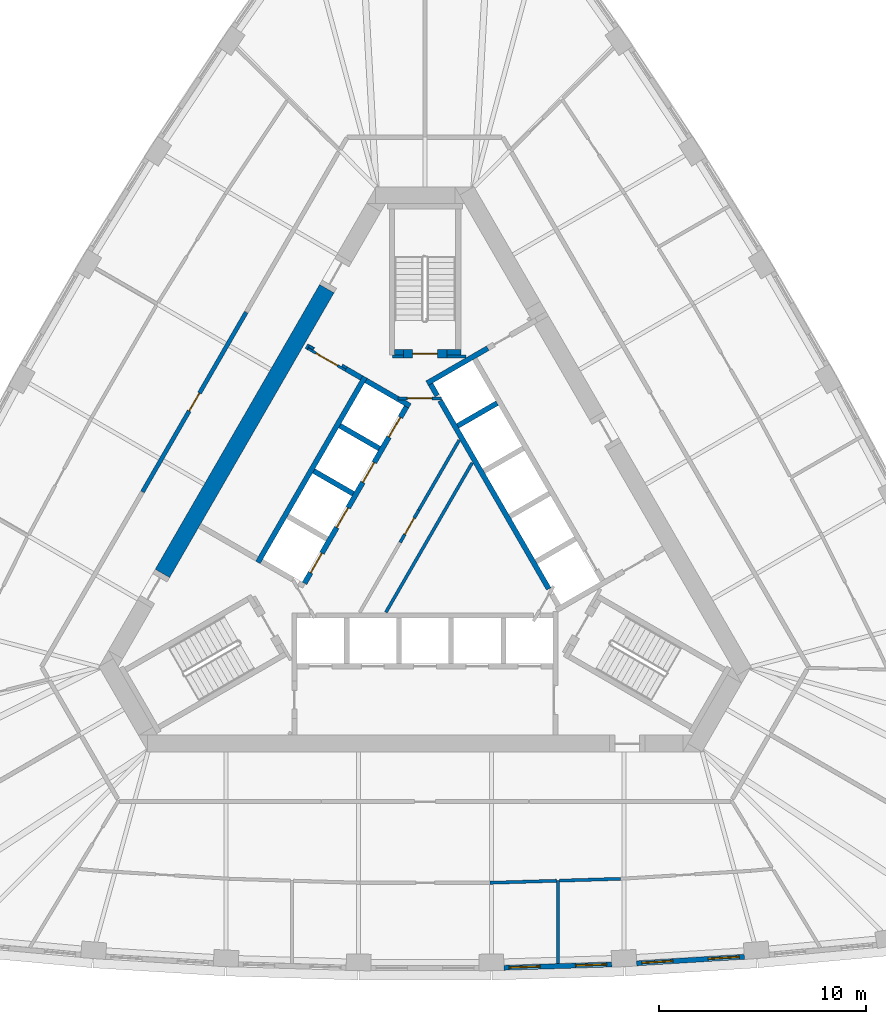
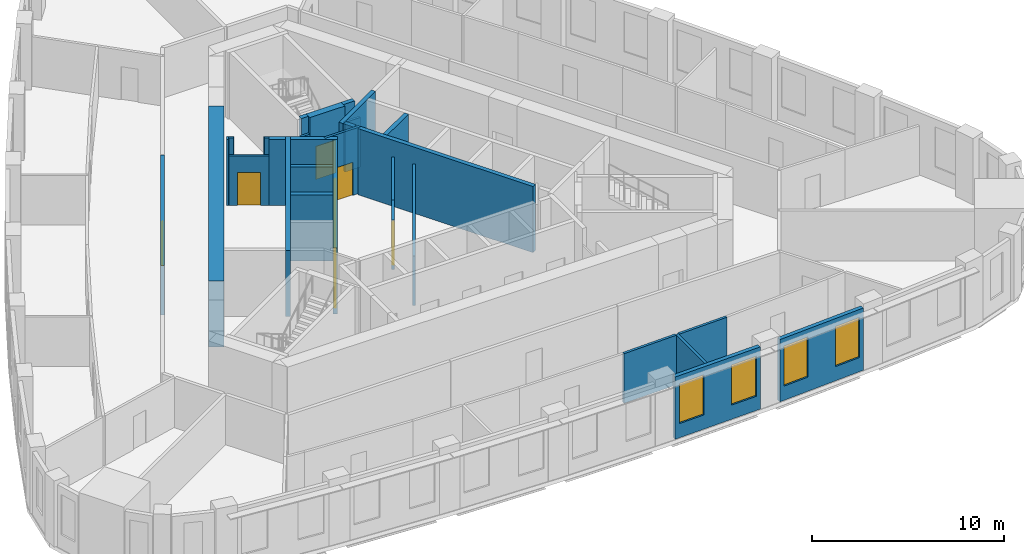
# One storey, part 5 of 10: 30 walls, 9 doors, 4 windows, 13 openings.
"""IFC4 building model written with IfcOpenShell, lengths in metres."""

from ifc_helpers import new_model, si_unit, direction, frame, frame_2d, origin, place, context, subcontext, project, spatial, polyline, rectangle, outline, extrude, material, layer, layer_set, type_object, element, fill, save


model = new_model("IFC4")

# Units and contexts
model_context = context("Model", 3, precision=1e-05, world=origin(), true_north=direction((0.0, 1.0)))
body_context = subcontext(model_context, "Body", "Model", "MODEL_VIEW")
ifc_project = project(units=[si_unit("LENGTHUNIT", "METRE"), si_unit("AREAUNIT", "SQUARE_METRE"), si_unit("VOLUMEUNIT", "CUBIC_METRE"), si_unit("PLANEANGLEUNIT", "RADIAN"), si_unit("MASSUNIT", "GRAM", prefix="KILO")], contexts=[model_context])

# Site, building, storey
site_placement = place(None, origin())
site = spatial("IfcSite", under=ifc_project, at=site_placement, CompositionType="ELEMENT")
building_placement = place(site_placement, origin())
building = spatial("IfcBuilding", under=site, at=building_placement, Name="Mestral Congress Tower", CompositionType="ELEMENT")
storey_placement = place(building_placement, frame((0.0, 0.0, 145.800048828125)))
storey = spatial("IfcBuildingStorey", under=building, at=storey_placement, Name="L34", CompositionType="ELEMENT", Elevation=145.800048828125)

# Walls
ifc_material_1 = material(Name="Fire-rated board partition")
ifc_layer_1 = layer(ifc_material_1, 0.14990234375)
ifc_layer_set_1 = layer_set([ifc_layer_1], Name="Fire-rated board partition")
wall_type_1 = type_object("IfcWallType", Name="Core partition 150", PredefinedType="PARTITIONING", material=ifc_layer_set_1)
wall_1_placement = place(storey_placement, frame((1.050048828125, 8.62548828125, 0.0), z_axis=(0.0, 0.0, 1.0), x_axis=(1.0, 0.0, 0.0)))
element("IfcWall", 1, at=wall_1_placement, inside=storey, type_object=wall_type_1, Name="L34 core wall", PredefinedType="PARTITIONING", context=body_context, shape_type="SweptSolid", body=[
    extrude(rectangle(XDim=0.9287109375, YDim=0.14990234375, at=frame_2d((0.46435546875, 0.0))), origin(), (0.0, 0.0, 1.0), 3.14990234375),
])
wall_2_placement = place(storey_placement, frame((-1.56396484375, 8.62548828125, 0.0), z_axis=(0.0, 0.0, 1.0), x_axis=(1.0, 0.0, 0.0)))
element("IfcWall", 2, at=wall_2_placement, inside=storey, type_object=wall_type_1, Name="L34 core wall", PredefinedType="PARTITIONING", context=body_context, shape_type="SweptSolid", body=[
    extrude(rectangle(XDim=0.513916015625, YDim=0.14990234375, at=frame_2d((0.2568359375, 0.0))), origin(), (0.0, 0.0, 1.0), 3.14990234375),
])
wall_3_placement = place(storey_placement, frame((-1.886962890625, -3.71826171875, 0.0), z_axis=(0.0, 0.0, 1.0), x_axis=(0.500005008002, 0.866022512394, 0.0)))
element("IfcWall", 3, at=wall_3_placement, inside=storey, type_object=wall_type_1, Name="L34 core wall", PredefinedType="PARTITIONING", context=body_context, shape_type="SweptSolid", body=[
    extrude(rectangle(XDim=8.3271484375, YDim=0.14990234375, at=frame_2d((4.16357421875, 0.0))), origin(), (0.0, 0.0, 1.0), 3.14990234375),
])
wall_4_placement = place(storey_placement, frame((-0.2998046875, 1.21240234375, 0.0), z_axis=(0.0, 0.0, 1.0), x_axis=(0.499963101113, 0.866046706318, 0.0)))
element("IfcWall", 4, at=wall_4_placement, inside=storey, type_object=wall_type_1, Name="L34 core wall", PredefinedType="PARTITIONING", context=body_context, shape_type="SweptSolid", body=[
    extrude(rectangle(XDim=3.893310546875, YDim=0.14990234375, at=frame_2d((1.94677734375, 0.0))), origin(), (0.0, 0.0, 1.0), 3.14990234375),
])

# Wall, opening, door
wall_5_placement = place(storey_placement, frame((-1.199951171875, -0.346435546875, 0.0), z_axis=(0.0, 0.0, 1.0), x_axis=(0.499961193289, 0.866047807691, 0.0)))
wall_5 = element("IfcWall", 5, at=wall_5_placement, inside=storey, type_object=wall_type_1, Name="L34 door wall", PredefinedType="PARTITIONING", context=body_context, shape_type="SweptSolid", body=[
    extrude(rectangle(XDim=1.800048828125, YDim=0.14990234375, at=frame_2d((0.89990234375, 0.0))), origin(), (0.0, 0.0, 1.0), 3.14990234375),
])
opening_1_placement = place(wall_5_placement, frame((0.449951171875, 0.0, 0.0)))
opening_1 = element("IfcOpeningElement", 6, at=opening_1_placement, cuts=wall_5, Name="Opening SD-HUB1", PredefinedType="OPENING", context=body_context, shape_type="SweptSolid", body=[
    extrude(rectangle(XDim=0.89990234375, YDim=2.10009765625, at=frame_2d((0.449951171875, 1.050048828125))), frame((0.0, 0.0849609375, 0.0), z_axis=(0.0, -1.0, 0.0), x_axis=(1.0, 0.0, 0.0)), (0.0, 0.0, 1.0), 0.169921875),
])
ifc_material_2 = material(Name="Fire-rated steel door set", Category="steel")
door_type_1 = type_object("IfcDoorType", Name="Core door SR 900x2100", OperationType="SINGLE_SWING_LEFT", PredefinedType="DOOR", material=ifc_material_2)
door_1_placement = place(opening_1_placement, origin())
door_1 = element("IfcDoor", 7, at=door_1_placement, inside=storey, type_object=door_type_1, Name="Door SD-HUB1", OperationType="SINGLE_SWING_LEFT", OverallHeight=2.10009765625, OverallWidth=0.89990234375, PredefinedType="DOOR", context=body_context, shape_type="SweptSolid", body=[
    extrude(rectangle(XDim=0.89990234375, YDim=2.10009765625, at=frame_2d((0.449951171875, 1.050048828125))), frame((0.0, 0.02490234375, 0.0), z_axis=(0.0, -1.0, 0.0), x_axis=(1.0, 0.0, 0.0)), (0.0, 0.0, 1.0), 0.050048828125),
])
fill(opening_1, door_1)

ifc_layer_2 = layer(ifc_material_1, 0.1201171875)
ifc_layer_set_2 = layer_set([ifc_layer_2], Name="Fire-rated board partition")
wall_type_2 = type_object("IfcWallType", Name="Core partition 150 door-wall 120", PredefinedType="PARTITIONING", material=ifc_layer_set_2)
wall_6_placement = place(storey_placement, frame((-5.65869140625, 9.01171875, 0.0), z_axis=(0.0, 0.0, 1.0), x_axis=(0.866009402589, -0.500027713859, 0.0)))
wall_6 = element("IfcWall", 8, at=wall_6_placement, inside=storey, type_object=wall_type_2, Name="L34 door wall", PredefinedType="PARTITIONING", context=body_context, shape_type="SweptSolid", body=[
    extrude(rectangle(XDim=2.10009765625, YDim=0.1201171875, at=frame_2d((1.050048828125, 0.0))), origin(), (0.0, 0.0, 1.0), 3.14990234375),
])
opening_2_placement = place(wall_6_placement, frame((0.449951171875, 0.0, 0.0)))
opening_2 = element("IfcOpeningElement", 9, at=opening_2_placement, cuts=wall_6, Name="Opening LB2-WL2", PredefinedType="OPENING", context=body_context, shape_type="SweptSolid", body=[
    extrude(rectangle(XDim=1.199951171875, YDim=2.10009765625, at=frame_2d((0.60009765625, 1.050048828125))), frame((0.0, 0.070068359375, 0.0), z_axis=(0.0, -1.0, 0.0), x_axis=(1.0, 0.0, 0.0)), (0.0, 0.0, 1.0), 0.14013671875),
])
door_type_2 = type_object("IfcDoorType", Name="Core door LB 1200x2100", OperationType="SINGLE_SWING_LEFT", PredefinedType="DOOR", material=ifc_material_2)
door_2_placement = place(opening_2_placement, origin())
door_2 = element("IfcDoor", 10, at=door_2_placement, inside=storey, type_object=door_type_2, Name="Door LB2-WL2", OperationType="SINGLE_SWING_LEFT", OverallHeight=2.10009765625, OverallWidth=1.199951171875, PredefinedType="DOOR", context=body_context, shape_type="SweptSolid", body=[
    extrude(rectangle(XDim=1.199951171875, YDim=2.10009765625, at=frame_2d((0.60009765625, 1.050048828125))), frame((0.0, 0.02490234375, 0.0), z_axis=(0.0, -1.0, 0.0), x_axis=(1.0, 0.0, 0.0)), (0.0, 0.0, 1.0), 0.050048828125),
])
fill(opening_2, door_2)

# Wall
ifc_material_3 = material(Name="Concrete C60/75", Category="concrete")
ifc_layer_3 = layer(ifc_material_3, 0.800048828125)
ifc_layer_set_3 = layer_set([ifc_layer_3], Name="Concrete C60/75")
wall_type_3 = type_object("IfcWallType", Name="Core wall RC 800", PredefinedType="SOLIDWALL", material=ifc_layer_set_3)
wall_7_placement = place(storey_placement, frame((-12.668212890625, -1.841796875, 0.0), z_axis=(0.0, 0.0, 1.0), x_axis=(0.500003640647, 0.866023301845, 0.0)))
element("IfcWall", 11, at=wall_7_placement, inside=storey, type_object=wall_type_3, Name="L34 core wall", PredefinedType="SOLIDWALL", context=body_context, shape_type="SweptSolid", body=[
    extrude(rectangle(XDim=15.8583984375, YDim=0.800048828125, at=frame_2d((7.92919921875, 0.0))), origin(), (0.0, 0.0, 1.0), 4.199951171875),
])

# Wall, openings, windows
ifc_material_4 = material(Name="Precast concrete C40/50 with limestone facing", Category="masonry")
ifc_layer_4 = layer(ifc_material_4, 0.239990234375)
ifc_layer_set_4 = layer_set([ifc_layer_4], Name="Precast concrete C40/50 with limestone facing")
wall_type_4 = type_object("IfcWallType", Name="Facade stone wall 240", PredefinedType="SOLIDWALL", material=ifc_layer_set_4)
wall_8_placement = place(storey_placement, frame((3.80615234375, -20.869873046875, 0.0), z_axis=(0.0, 0.0, 1.0), x_axis=(0.999533441983, 0.030543384845, 0.0)))
wall_8 = element("IfcWall", 12, at=wall_8_placement, inside=storey, type_object=wall_type_4, Name="Facade wall F0-04", PredefinedType="SOLIDWALL", context=body_context, shape_type="SweptSolid", body=[
    extrude(rectangle(XDim=5.20361328125, YDim=0.239990234375, at=frame_2d((2.601806640625, 0.0))), origin(), (0.0, 0.0, 1.0), 3.949951171875),
])
opening_3_placement = place(wall_8_placement, frame((0.248291015625, 0.0, 0.89990234375)))
opening_3 = element("IfcOpeningElement", 13, at=opening_3_placement, cuts=wall_8, Name="Opening W4", PredefinedType="OPENING", context=body_context, shape_type="SweptSolid", body=[
    extrude(rectangle(XDim=1.5, YDim=2.550048828125, at=frame_2d((0.75, 1.27490234375))), frame((0.0, 0.1298828125, 0.0), z_axis=(0.0, -1.0, 0.0), x_axis=(1.0, 0.0, 0.0)), (0.0, 0.0, 1.0), 0.260009765625),
])
opening_4_placement = place(wall_8_placement, frame((3.455078125, 0.0, 0.89990234375)))
opening_4 = element("IfcOpeningElement", 14, at=opening_4_placement, cuts=wall_8, Name="Opening W4", PredefinedType="OPENING", context=body_context, shape_type="SweptSolid", body=[
    extrude(rectangle(XDim=1.5, YDim=2.550048828125, at=frame_2d((0.75, 1.27490234375))), frame((0.0, 0.1298828125, 0.0), z_axis=(0.0, -1.0, 0.0), x_axis=(1.0, 0.0, 0.0)), (0.0, 0.0, 1.0), 0.260009765625),
])
ifc_material_5 = material(Name="Clear low-emissivity double glazing", Category="glass")
window_type = type_object("IfcWindowType", Name="Facade punched window 1500 x 2550 sill 900", PartitioningType="SINGLE_PANEL", PredefinedType="WINDOW", material=ifc_material_5)
window_1_placement = place(opening_3_placement, origin())
window_1 = element("IfcWindow", 15, at=window_1_placement, inside=storey, type_object=window_type, Name="Window F0-04a", OverallHeight=2.550048828125, OverallWidth=1.5, PartitioningType="SINGLE_PANEL", PredefinedType="WINDOW", context=body_context, shape_type="SweptSolid", body=[
    extrude(rectangle(XDim=1.5, YDim=2.550048828125, at=frame_2d((0.75, 1.27490234375))), frame((0.0, 0.0400390625, 0.0), z_axis=(0.0, -1.0, 0.0), x_axis=(1.0, 0.0, 0.0)), (0.0, 0.0, 1.0), 0.06005859375),
])
fill(opening_3, window_1)
window_2_placement = place(opening_4_placement, origin())
window_2 = element("IfcWindow", 16, at=window_2_placement, inside=storey, type_object=window_type, Name="Window F0-04b", OverallHeight=2.550048828125, OverallWidth=1.5, PartitioningType="SINGLE_PANEL", PredefinedType="WINDOW", context=body_context, shape_type="SweptSolid", body=[
    extrude(rectangle(XDim=1.5, YDim=2.550048828125, at=frame_2d((0.75, 1.27490234375))), frame((0.0, 0.0400390625, 0.0), z_axis=(0.0, -1.0, 0.0), x_axis=(1.0, 0.0, 0.0)), (0.0, 0.0, 1.0), 0.06005859375),
])
fill(opening_4, window_2)

wall_9_placement = place(storey_placement, frame((10.210693359375, -20.656005859375, 0.0), z_axis=(0.0, 0.0, 1.0), x_axis=(0.998135294646, 0.061040425794, 0.0)))
wall_9 = element("IfcWall", 17, at=wall_9_placement, inside=storey, type_object=wall_type_4, Name="Facade wall F0-05", PredefinedType="SOLIDWALL", context=body_context, shape_type="SweptSolid", body=[
    extrude(rectangle(XDim=5.20361328125, YDim=0.239990234375, at=frame_2d((2.601806640625, 0.0))), origin(), (0.0, 0.0, 1.0), 3.949951171875),
])
opening_5_placement = place(wall_9_placement, frame((0.248291015625, 0.0, 0.89990234375)))
opening_5 = element("IfcOpeningElement", 18, at=opening_5_placement, cuts=wall_9, Name="Opening W4", PredefinedType="OPENING", context=body_context, shape_type="SweptSolid", body=[
    extrude(rectangle(XDim=1.5, YDim=2.550048828125, at=frame_2d((0.75, 1.27490234375))), frame((0.0, 0.1298828125, 0.0), z_axis=(0.0, -1.0, 0.0), x_axis=(1.0, 0.0, 0.0)), (0.0, 0.0, 1.0), 0.260009765625),
])
opening_6_placement = place(wall_9_placement, frame((3.455078125, 0.0, 0.89990234375)))
opening_6 = element("IfcOpeningElement", 19, at=opening_6_placement, cuts=wall_9, Name="Opening W4", PredefinedType="OPENING", context=body_context, shape_type="SweptSolid", body=[
    extrude(rectangle(XDim=1.5, YDim=2.550048828125, at=frame_2d((0.75, 1.27490234375))), frame((0.0, 0.1298828125, 0.0), z_axis=(0.0, -1.0, 0.0), x_axis=(1.0, 0.0, 0.0)), (0.0, 0.0, 1.0), 0.260009765625),
])
window_3_placement = place(opening_5_placement, origin())
window_3 = element("IfcWindow", 20, at=window_3_placement, inside=storey, type_object=window_type, Name="Window F0-05a", OverallHeight=2.550048828125, OverallWidth=1.5, PartitioningType="SINGLE_PANEL", PredefinedType="WINDOW", context=body_context, shape_type="SweptSolid", body=[
    extrude(rectangle(XDim=1.5, YDim=2.550048828125, at=frame_2d((0.75, 1.27490234375))), frame((0.0, 0.0400390625, 0.0), z_axis=(0.0, -1.0, 0.0), x_axis=(1.0, 0.0, 0.0)), (0.0, 0.0, 1.0), 0.06005859375),
])
fill(opening_5, window_3)
window_4_placement = place(opening_6_placement, origin())
window_4 = element("IfcWindow", 21, at=window_4_placement, inside=storey, type_object=window_type, Name="Window F0-05b", OverallHeight=2.550048828125, OverallWidth=1.5, PartitioningType="SINGLE_PANEL", PredefinedType="WINDOW", context=body_context, shape_type="SweptSolid", body=[
    extrude(rectangle(XDim=1.5, YDim=2.550048828125, at=frame_2d((0.75, 1.27490234375))), frame((0.0, 0.0400390625, 0.0), z_axis=(0.0, -1.0, 0.0), x_axis=(1.0, 0.0, 0.0)), (0.0, 0.0, 1.0), 0.06005859375),
])
fill(opening_6, window_4)

# Walls
ifc_material_6 = material(Name="Plasterboard partition on steel studs", Category="steel")
ifc_layer_5 = layer(ifc_material_6, 0.14990234375)
ifc_layer_set_5 = layer_set([ifc_layer_5], Name="Plasterboard partition on steel studs")
wall_type_5 = type_object("IfcWallType", Name="Office partition 150", PredefinedType="PARTITIONING", material=ifc_layer_set_5)
wall_10_placement = place(storey_placement, frame((6.412109375, -16.668212890625, 0.0), z_axis=(0.0, 0.0, 1.0), x_axis=(0.0, -1.0, 0.0)))
element("IfcWall", 22, at=wall_10_placement, inside=storey, type_object=wall_type_5, Name="Partition", PredefinedType="PARTITIONING", context=body_context, shape_type="SweptSolid", body=[
    extrude(rectangle(XDim=4.001953125, YDim=0.14990234375, at=frame_2d((2.0009765625, 0.0))), origin(), (0.0, 0.0, 1.0), 3.14990234375),
])
wall_11_placement = place(storey_placement, frame((3.141357421875, -16.768310546875, 0.0), z_axis=(0.0, 0.0, 1.0), x_axis=(0.999533369646, 0.030545751995, 0.0)))
element("IfcWall", 23, at=wall_11_placement, inside=storey, type_object=wall_type_5, Name="Partition", PredefinedType="PARTITIONING", context=body_context, shape_type="SweptSolid", body=[
    extrude(rectangle(XDim=3.197021484375, YDim=0.14990234375, at=frame_2d((1.5986328125, 0.0))), origin(), (0.0, 0.0, 1.0), 3.14990234375),
])
wall_12_placement = place(storey_placement, frame((6.487060546875, -16.666015625, 0.0), z_axis=(0.0, 0.0, 1.0), x_axis=(0.999533978083, 0.030525835896, 0.0)))
element("IfcWall", 24, at=wall_12_placement, inside=storey, type_object=wall_type_5, Name="Partition", PredefinedType="PARTITIONING", context=body_context, shape_type="SweptSolid", body=[
    extrude(rectangle(XDim=2.935302734375, YDim=0.14990234375, at=frame_2d((1.4677734375, 0.0))), origin(), (0.0, 0.0, 1.0), 3.14990234375),
])

# Wall, opening, door
ifc_material_7 = material(Name="Dense masonry wall, plastered", Category="masonry")
ifc_layer_6 = layer(ifc_material_7, 0.199951171875)
ifc_layer_set_6 = layer_set([ifc_layer_6], Name="Dense masonry wall, plastered")
wall_type_6 = type_object("IfcWallType", Name="Office tenancy wall 200", PredefinedType="PARTITIONING", material=ifc_layer_set_6)
wall_13_placement = place(storey_placement, frame((-8.62841796875, 10.755126953125, 0.0), z_axis=(0.0, 0.0, 1.0), x_axis=(-0.500004234368, -0.866022959057, 0.0)))
wall_13 = element("IfcWall", 25, at=wall_13_placement, inside=storey, type_object=wall_type_6, Name="Tenancy wall", PredefinedType="PARTITIONING", context=body_context, shape_type="SweptSolid", body=[
    extrude(rectangle(XDim=10.0, YDim=0.199951171875, at=frame_2d((5.0, 0.0))), origin(), (0.0, 0.0, 1.0), 3.14990234375),
])
opening_7_placement = place(wall_13_placement, frame((4.5, 0.0, 0.0)))
opening_7 = element("IfcOpeningElement", 26, at=opening_7_placement, cuts=wall_13, Name="Opening O01-017", PredefinedType="OPENING", context=body_context, shape_type="SweptSolid", body=[
    extrude(rectangle(XDim=1.0, YDim=2.10009765625, at=frame_2d((0.5, 1.050048828125))), frame((0.0, 0.10986328125, 0.0), z_axis=(0.0, -1.0, 0.0), x_axis=(1.0, 0.0, 0.0)), (0.0, 0.0, 1.0), 0.219970703125),
])
ifc_material_8 = material(Name="Fire-rated timber door set", Category="wood")
door_type_3 = type_object("IfcDoorType", Name="Office tenancy entrance door 1000x2100", OperationType="SINGLE_SWING_LEFT", PredefinedType="DOOR", material=ifc_material_8)
door_3_placement = place(opening_7_placement, origin())
door_3 = element("IfcDoor", 27, at=door_3_placement, inside=storey, type_object=door_type_3, Name="Door O01-017", OperationType="SINGLE_SWING_LEFT", OverallHeight=2.10009765625, OverallWidth=1.0, PredefinedType="DOOR", context=body_context, shape_type="SweptSolid", body=[
    extrude(rectangle(XDim=1.0, YDim=2.10009765625, at=frame_2d((0.5, 1.050048828125))), frame((0.0, 0.02490234375, 0.0), z_axis=(0.0, -1.0, 0.0), x_axis=(1.0, 0.0, 0.0)), (0.0, 0.0, 1.0), 0.050048828125),
])
fill(opening_7, door_3)

# Walls
ifc_layer_7 = layer(ifc_material_3, 0.25)
ifc_layer_set_7 = layer_set([ifc_layer_7], Name="Concrete C60/75")
wall_type_7 = type_object("IfcWallType", Name="Shaft wall RC 250", PredefinedType="SOLIDWALL", material=ifc_layer_set_7)
wall_14_placement = place(storey_placement, frame((3.02783203125, 9.022705078125, 0.0), z_axis=(0.0, 0.0, 1.0), x_axis=(-0.866036587186, -0.49998062928, 0.0)))
element("IfcWall", 28, at=wall_14_placement, inside=storey, type_object=wall_type_7, Name="L34 core wall", PredefinedType="SOLIDWALL", context=body_context, shape_type="SweptSolid", body=[
    extrude(rectangle(XDim=3.383544921875, YDim=0.25, at=frame_2d((1.69189453125, 0.0))), origin(), (0.0, 0.0, 1.0), 4.199951171875),
])
wall_15_placement = place(storey_placement, frame((0.268310546875, 7.28515625, 0.0), z_axis=(0.0, 0.0, 1.0), x_axis=(0.500098681536, -0.865968422476, 0.0)))
element("IfcWall", 29, at=wall_15_placement, inside=storey, type_object=wall_type_7, Name="L34 core wall", PredefinedType="SOLIDWALL", context=body_context, shape_type="SweptSolid", body=[
    extrude(rectangle(XDim=0.636474609375, YDim=0.25, at=frame_2d((0.318359375, 0.0))), origin(), (0.0, 0.0, 1.0), 4.199951171875),
])
wall_16_placement = place(storey_placement, frame((5.970458984375, -2.591064453125, 0.0), z_axis=(0.0, 0.0, 1.0), x_axis=(-0.499994469932, 0.866028596547, 0.0)))
element("IfcWall", 30, at=wall_16_placement, inside=storey, type_object=wall_type_7, Name="L34 core wall", PredefinedType="SOLIDWALL", context=body_context, shape_type="SweptSolid", body=[
    extrude(rectangle(XDim=10.48828125, YDim=0.25, at=frame_2d((5.244140625, 0.0))), origin(), (0.0, 0.0, 1.0), 4.199951171875),
])
wall_17_placement = place(storey_placement, frame((1.57421875, 5.273681640625, 0.0), z_axis=(0.0, 0.0, 1.0), x_axis=(0.866028486751, 0.499994660107, 0.0)))
element("IfcWall", 31, at=wall_17_placement, inside=storey, type_object=wall_type_7, Name="L34 core wall", PredefinedType="SOLIDWALL", context=body_context, shape_type="SweptSolid", body=[
    extrude(rectangle(XDim=2.19970703125, YDim=0.25, at=frame_2d((1.099853515625, 0.0))), origin(), (0.0, 0.0, 1.0), 4.199951171875),
])
wall_18_placement = place(storey_placement, frame((-8.06005859375, -1.310546875, 0.0), z_axis=(0.0, 0.0, 1.0), x_axis=(0.50000273126, 0.866023826885, 0.0)))
element("IfcWall", 32, at=wall_18_placement, inside=storey, type_object=wall_type_7, Name="L34 core wall", PredefinedType="SOLIDWALL", context=body_context, shape_type="SweptSolid", body=[
    extrude(rectangle(XDim=10.330078125, YDim=0.25, at=frame_2d((5.1650390625, 0.0))), origin(), (0.0, 0.0, 1.0), 4.199951171875),
])
placement = place(storey_placement, origin())
element("IfcWall", 33, at=placement, inside=storey, type_object=wall_type_7, Name="L34 core wall", PredefinedType="SOLIDWALL", context=body_context, shape_type="SweptSolid", body=[
    extrude(outline(polyline([(-2.911865234375, 7.3564453125), (-2.786865234375, 7.572998046875), (-1.231689453125, 6.675048828125), (-1.303466796875, 6.675048828125), (-1.3037109375, 6.675048828125), (-1.3037109375, 6.675048828125), (-1.3037109375, 6.52490234375), (-1.3037109375, 6.52490234375), (-1.303466796875, 6.52490234375), (-0.971435546875, 6.52490234375), (-0.6650390625, 6.347900390625), (-0.7900390625, 6.131591796875), (-1.006591796875, 6.256591796875), (-1.006591796875, 6.256591796875), (-2.911865234375, 7.3564453125)])), origin(), (0.0, 0.0, 1.0), 4.199951171875),
])
for number, where, z_axis, x_axis, name in (
    (34, (-2.2041015625, 4.182373046875, 0.0), (0.0, 0.0, 1.0), (-0.866008176907, 0.50002983664, 0.0), "L34 core wall"),
    (35, (-5.369384765625, 3.10009765625, 0.0), (0.0, 0.0, 1.0), (0.866008176907, -0.50002983664, 0.0), "L34 core wall"),
):
    element("IfcWall", number, at=place(storey_placement, frame(where, z_axis=z_axis, x_axis=x_axis)), inside=storey, type_object=wall_type_7, Name=name, PredefinedType="SOLIDWALL", context=body_context, shape_type="SweptSolid", body=[
        extrude(rectangle(XDim=2.199951171875, YDim=0.25, at=frame_2d((1.10009765625, 0.0))), origin(), (0.0, 0.0, 1.0), 4.199951171875),
    ])
wall_20_placement = place(storey_placement, frame((-5.724609375, 9.124755859375, 0.0), z_axis=(0.0, 0.0, 1.0), x_axis=(0.866185586049, -0.49972245349, 0.0)))
element("IfcWall", 36, at=wall_20_placement, inside=storey, type_object=wall_type_7, Name="L34 core wall", PredefinedType="SOLIDWALL", context=body_context, shape_type="SweptSolid", body=[
    extrude(rectangle(XDim=0.10986328125, YDim=0.25, at=frame_2d((0.054931640625, 0.0))), origin(), (0.0, 0.0, 1.0), 4.199951171875),
])
wall_21_placement = place(storey_placement, frame((-3.06591796875, 7.58984375, 0.0), z_axis=(0.0, 0.0, 1.0), x_axis=(-0.866081358704, 0.49990307071, 0.0)))
element("IfcWall", 37, at=wall_21_placement, inside=storey, type_object=wall_type_7, Name="L34 core wall", PredefinedType="SOLIDWALL", context=body_context, shape_type="SweptSolid", body=[
    extrude(rectangle(XDim=0.858154296875, YDim=0.25, at=frame_2d((0.42919921875, 0.0))), origin(), (0.0, 0.0, 1.0), 4.199951171875),
])
element("IfcWall", 38, at=placement, inside=storey, type_object=wall_type_7, Name="L34 core wall", PredefinedType="SOLIDWALL", context=body_context, shape_type="SweptSolid", body=[
    extrude(outline(polyline([(-3.748291015625, 8.1279296875), (-3.813232421875, 8.015380859375), (-4.026611328125, 8.138671875), (-4.0166015625, 8.156005859375), (-4.007568359375, 8.17333984375), (-4.000244140625, 8.191650390625), (-3.994873046875, 8.21044921875), (-3.991455078125, 8.229736328125), (-3.98974609375, 8.24951171875), (-3.989990234375, 8.267578125), (-3.748291015625, 8.1279296875)])), origin(), (0.0, 0.0, 1.0), 4.199951171875),
])
element("IfcWall", 39, at=placement, inside=storey, type_object=wall_type_7, Name="L34 core wall", PredefinedType="SOLIDWALL", context=body_context, shape_type="SweptSolid", body=[
    extrude(outline(polyline([(-5.688720703125, 8.959716796875), (-5.690185546875, 8.960693359375), (-5.565185546875, 9.177001953125), (-5.318603515625, 9.03466796875), (-5.334716796875, 9.02587890625), (-5.3505859375, 9.0146484375), (-5.36572265625, 9.001953125), (-5.37939453125, 8.98779296875), (-5.3916015625, 8.972412109375), (-5.402099609375, 8.955810546875), (-5.412109375, 8.938720703125), (-5.628662109375, 9.063720703125), (-5.628662109375, 9.063720703125), (-5.688720703125, 8.959716796875)])), origin(), (0.0, 0.0, 1.0), 4.199951171875),
])

# Wall, openings, doors
wall_24_placement = place(storey_placement, frame((-0.898193359375, 6.194091796875, 0.0), z_axis=(0.0, 0.0, 1.0), x_axis=(-0.499996202215, -0.866027596426, 0.0)))
wall_24 = element("IfcWall", 40, at=wall_24_placement, inside=storey, type_object=wall_type_7, Name="L34 door wall", PredefinedType="SOLIDWALL", context=body_context, shape_type="SweptSolid", body=[
    extrude(rectangle(XDim=9.830078125, YDim=0.25, at=frame_2d((4.9150390625, 0.0))), origin(), (0.0, 0.0, 1.0), 4.199951171875),
])
opening_8_placement = place(wall_24_placement, frame((0.5849609375, 0.0, 0.0)))
opening_8 = element("IfcOpeningElement", 41, at=opening_8_placement, cuts=wall_24, Name="Opening LD-NWB1", PredefinedType="OPENING", context=body_context, shape_type="SweptSolid", body=[
    extrude(rectangle(XDim=1.10009765625, YDim=2.10009765625, at=frame_2d((0.550048828125, 1.050048828125))), frame((0.0, 0.135009765625, 0.0), z_axis=(0.0, -1.0, 0.0), x_axis=(1.0, 0.0, 0.0)), (0.0, 0.0, 1.0), 0.27001953125),
])
opening_9_placement = place(wall_24_placement, frame((3.10498046875, 0.0, 0.0)))
opening_9 = element("IfcOpeningElement", 42, at=opening_9_placement, cuts=wall_24, Name="Opening LD-NWB2", PredefinedType="OPENING", context=body_context, shape_type="SweptSolid", body=[
    extrude(rectangle(XDim=1.10009765625, YDim=2.10009765625, at=frame_2d((0.550048828125, 1.050048828125))), frame((0.0, 0.135009765625, 0.0), z_axis=(0.0, -1.0, 0.0), x_axis=(1.0, 0.0, 0.0)), (0.0, 0.0, 1.0), 0.27001953125),
])
opening_10_placement = place(wall_24_placement, frame((5.625, 0.0, 0.0)))
opening_10 = element("IfcOpeningElement", 43, at=opening_10_placement, cuts=wall_24, Name="Opening LD-NWB3", PredefinedType="OPENING", context=body_context, shape_type="SweptSolid", body=[
    extrude(rectangle(XDim=1.10009765625, YDim=2.10009765625, at=frame_2d((0.550048828125, 1.050048828125))), frame((0.0, 0.135009765625, 0.0), z_axis=(0.0, -1.0, 0.0), x_axis=(1.0, 0.0, 0.0)), (0.0, 0.0, 1.0), 0.27001953125),
])
opening_11_placement = place(wall_24_placement, frame((8.14501953125, 0.0, 0.0)))
opening_11 = element("IfcOpeningElement", 44, at=opening_11_placement, cuts=wall_24, Name="Opening LD-NWB4", PredefinedType="OPENING", context=body_context, shape_type="SweptSolid", body=[
    extrude(rectangle(XDim=1.10009765625, YDim=2.10009765625, at=frame_2d((0.550048828125, 1.050048828125))), frame((0.0, 0.135009765625, 0.0), z_axis=(0.0, -1.0, 0.0), x_axis=(1.0, 0.0, 0.0)), (0.0, 0.0, 1.0), 0.27001953125),
])
door_type_4 = type_object("IfcDoorType", Name="Core door LD 1100x2100", OperationType="DOUBLE_DOOR_SLIDING", PredefinedType="DOOR", material=ifc_material_2)
door_4_placement = place(opening_8_placement, origin())
door_4 = element("IfcDoor", 45, at=door_4_placement, inside=storey, type_object=door_type_4, Name="Door LD-NWB1", OperationType="DOUBLE_DOOR_SLIDING", OverallHeight=2.10009765625, OverallWidth=1.10009765625, PredefinedType="DOOR", context=body_context, shape_type="SweptSolid", body=[
    extrude(rectangle(XDim=1.10009765625, YDim=2.10009765625, at=frame_2d((0.550048828125, 1.050048828125))), frame((0.0, 0.02490234375, 0.0), z_axis=(0.0, -1.0, 0.0), x_axis=(1.0, 0.0, 0.0)), (0.0, 0.0, 1.0), 0.050048828125),
])
fill(opening_8, door_4)
door_5_placement = place(opening_9_placement, origin())
door_5 = element("IfcDoor", 46, at=door_5_placement, inside=storey, type_object=door_type_4, Name="Door LD-NWB2", OperationType="DOUBLE_DOOR_SLIDING", OverallHeight=2.10009765625, OverallWidth=1.10009765625, PredefinedType="DOOR", context=body_context, shape_type="SweptSolid", body=[
    extrude(rectangle(XDim=1.10009765625, YDim=2.10009765625, at=frame_2d((0.550048828125, 1.050048828125))), frame((0.0, 0.02490234375, 0.0), z_axis=(0.0, -1.0, 0.0), x_axis=(1.0, 0.0, 0.0)), (0.0, 0.0, 1.0), 0.050048828125),
])
fill(opening_9, door_5)
door_6_placement = place(opening_10_placement, origin())
door_6 = element("IfcDoor", 47, at=door_6_placement, inside=storey, type_object=door_type_4, Name="Door LD-NWB3", OperationType="DOUBLE_DOOR_SLIDING", OverallHeight=2.10009765625, OverallWidth=1.10009765625, PredefinedType="DOOR", context=body_context, shape_type="SweptSolid", body=[
    extrude(rectangle(XDim=1.10009765625, YDim=2.10009765625, at=frame_2d((0.550048828125, 1.050048828125))), frame((0.0, 0.02490234375, 0.0), z_axis=(0.0, -1.0, 0.0), x_axis=(1.0, 0.0, 0.0)), (0.0, 0.0, 1.0), 0.050048828125),
])
fill(opening_10, door_6)
door_7_placement = place(opening_11_placement, origin())
door_7 = element("IfcDoor", 48, at=door_7_placement, inside=storey, type_object=door_type_4, Name="Door LD-NWB4", OperationType="DOUBLE_DOOR_SLIDING", OverallHeight=2.10009765625, OverallWidth=1.10009765625, PredefinedType="DOOR", context=body_context, shape_type="SweptSolid", body=[
    extrude(rectangle(XDim=1.10009765625, YDim=2.10009765625, at=frame_2d((0.550048828125, 1.050048828125))), frame((0.0, 0.02490234375, 0.0), z_axis=(0.0, -1.0, 0.0), x_axis=(1.0, 0.0, 0.0)), (0.0, 0.0, 1.0), 0.050048828125),
])
fill(opening_11, door_7)

# Wall, opening, door
ifc_layer_8 = layer(ifc_material_3, 0.14990234375)
ifc_layer_set_8 = layer_set([ifc_layer_8], Name="Concrete C60/75")
wall_type_8 = type_object("IfcWallType", Name="Shaft wall RC 250 door-wall 150", PredefinedType="SOLIDWALL", material=ifc_layer_set_8)
wall_25_placement = place(storey_placement, frame((-1.303466796875, 6.60009765625, 0.0), z_axis=(0.0, 0.0, 1.0), x_axis=(1.0, 0.0, 0.0)))
wall_25 = element("IfcWall", 49, at=wall_25_placement, inside=storey, type_object=wall_type_8, Name="L34 door wall", PredefinedType="PARTITIONING", context=body_context, shape_type="SweptSolid", body=[
    extrude(rectangle(XDim=2.099853515625, YDim=0.14990234375, at=frame_2d((1.0498046875, 0.0))), origin(), (0.0, 0.0, 1.0), 4.199951171875),
])
opening_12_placement = place(wall_25_placement, frame((0.449951171875, 0.0, 0.0)))
opening_12 = element("IfcOpeningElement", 50, at=opening_12_placement, cuts=wall_25, Name="Opening CD2-FF", PredefinedType="OPENING", context=body_context, shape_type="SweptSolid", body=[
    extrude(rectangle(XDim=1.199951171875, YDim=2.10009765625, at=frame_2d((0.60009765625, 1.050048828125))), frame((0.0, 0.0849609375, 0.0), z_axis=(0.0, -1.0, 0.0), x_axis=(1.0, 0.0, 0.0)), (0.0, 0.0, 1.0), 0.169921875),
])
door_type_5 = type_object("IfcDoorType", Name="Core door CD 1200x2100", OperationType="SINGLE_SWING_LEFT", PredefinedType="DOOR", material=ifc_material_2)
door_8_placement = place(opening_12_placement, origin())
door_8 = element("IfcDoor", 51, at=door_8_placement, inside=storey, type_object=door_type_5, Name="Door CD2-FF", OperationType="SINGLE_SWING_LEFT", OverallHeight=2.10009765625, OverallWidth=1.199951171875, PredefinedType="DOOR", context=body_context, shape_type="SweptSolid", body=[
    extrude(rectangle(XDim=1.199951171875, YDim=2.10009765625, at=frame_2d((0.60009765625, 1.050048828125))), frame((0.0, 0.02490234375, 0.0), z_axis=(0.0, -1.0, 0.0), x_axis=(1.0, 0.0, 0.0)), (0.0, 0.0, 1.0), 0.050048828125),
])
fill(opening_12, door_8)

# Walls
ifc_layer_9 = layer(ifc_material_3, 0.25)
ifc_layer_set_9 = layer_set([ifc_layer_9], Name="Concrete C60/75")
wall_type_9 = type_object("IfcWallType", Name="Stair wall RC 250", PredefinedType="SOLIDWALL", material=ifc_layer_set_9)
wall_26_placement = place(storey_placement, frame((1.050048828125, 8.824951171875, 0.0), z_axis=(0.0, 0.0, 1.0), x_axis=(1.0, 0.0, 0.0)))
element("IfcWall", 52, at=wall_26_placement, inside=storey, type_object=wall_type_9, Name="L34 core wall", PredefinedType="SOLIDWALL", context=body_context, shape_type="SweptSolid", body=[
    extrude(rectangle(XDim=0.675048828125, YDim=0.25, at=frame_2d((0.33740234375, 0.0))), origin(), (0.0, 0.0, 1.0), 4.199951171875),
])
wall_27_placement = place(storey_placement, frame((-1.47509765625, 8.824951171875, 0.0), z_axis=(0.0, 0.0, 1.0), x_axis=(1.0, 0.0, 0.0)))
element("IfcWall", 53, at=wall_27_placement, inside=storey, type_object=wall_type_9, Name="L34 core wall", PredefinedType="SOLIDWALL", context=body_context, shape_type="SweptSolid", body=[
    extrude(rectangle(XDim=0.425048828125, YDim=0.25, at=frame_2d((0.21240234375, 0.0))), origin(), (0.0, 0.0, 1.0), 4.199951171875),
])

# Wall, opening, door
ifc_layer_10 = layer(ifc_material_3, 0.39990234375)
ifc_layer_set_10 = layer_set([ifc_layer_10], Name="Concrete C60/75")
wall_type_10 = type_object("IfcWallType", Name="Stair wall RC 250 door-wall 400", PredefinedType="SOLIDWALL", material=ifc_layer_set_10)
wall_28_placement = place(storey_placement, frame((1.050048828125, 8.75, 0.0), z_axis=(0.0, 0.0, 1.0), x_axis=(-1.0, 0.0, 0.0)))
wall_28 = element("IfcWall", 54, at=wall_28_placement, inside=storey, type_object=wall_type_10, Name="L34 door wall", PredefinedType="SOLIDWALL", context=body_context, shape_type="SweptSolid", body=[
    extrude(rectangle(XDim=2.10009765625, YDim=0.39990234375, at=frame_2d((1.050048828125, 0.0))), origin(), (0.0, 0.0, 1.0), 4.199951171875),
])
opening_13_placement = place(wall_28_placement, frame((0.449951171875, 0.0, 0.0)))
opening_13 = element("IfcOpeningElement", 55, at=opening_13_placement, cuts=wall_28, Name="Opening ST-D2", PredefinedType="OPENING", context=body_context, shape_type="SweptSolid", body=[
    extrude(rectangle(XDim=1.199951171875, YDim=2.10009765625, at=frame_2d((0.60009765625, 1.050048828125))), frame((0.0, 0.2099609375, 0.0), z_axis=(0.0, -1.0, 0.0), x_axis=(1.0, 0.0, 0.0)), (0.0, 0.0, 1.0), 0.419921875),
])
door_type_6 = type_object("IfcDoorType", Name="Core door ST 1200x2100", OperationType="SINGLE_SWING_LEFT", PredefinedType="DOOR", material=ifc_material_2)
door_9_placement = place(opening_13_placement, origin())
door_9 = element("IfcDoor", 56, at=door_9_placement, inside=storey, type_object=door_type_6, Name="Door ST-D2", OperationType="SINGLE_SWING_LEFT", OverallHeight=2.10009765625, OverallWidth=1.199951171875, PredefinedType="DOOR", context=body_context, shape_type="SweptSolid", body=[
    extrude(rectangle(XDim=1.199951171875, YDim=2.10009765625, at=frame_2d((0.60009765625, 1.050048828125))), frame((0.0, 0.02490234375, 0.0), z_axis=(0.0, -1.0, 0.0), x_axis=(1.0, 0.0, 0.0)), (0.0, 0.0, 1.0), 0.050048828125),
])
fill(opening_13, door_9)

save(model, "model.ifc")
